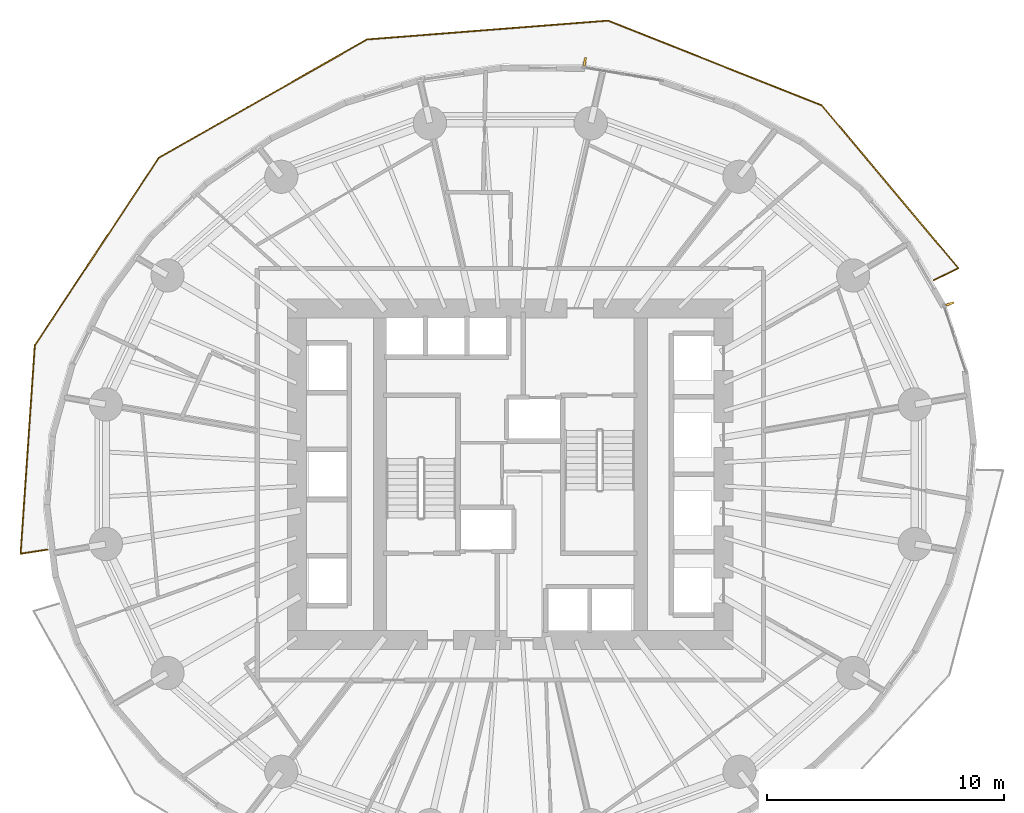
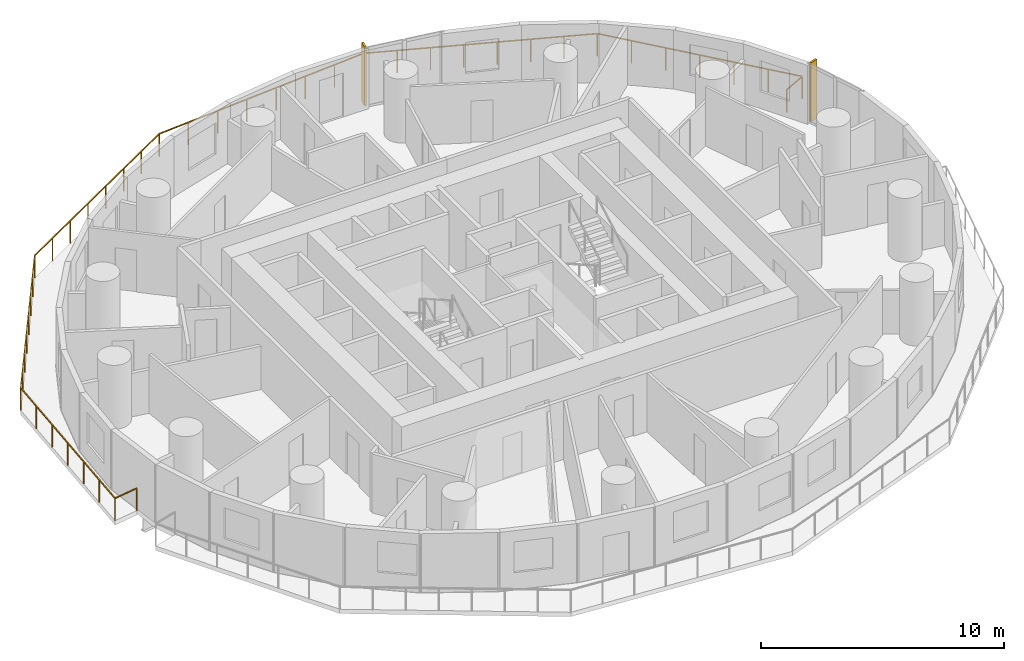
# One storey, part 13 of 13: 2 shading devices, 1 railing.
"""IFC4 building model written with IfcOpenShell, lengths in metres."""

from ifc_helpers import new_model, si_unit, direction, frame, origin, origin_2d, place, context, subcontext, project, spatial, rectangle, extrude, material, layer, layer_set, type_object, element, save


model = new_model("IFC4")

# Units and contexts
model_context = context("Model", 3, precision=1e-05, world=origin(), true_north=direction((0.0, 1.0)))
body_context = subcontext(model_context, "Body", "Model", "MODEL_VIEW")
ifc_project = project(units=[si_unit("LENGTHUNIT", "METRE"), si_unit("AREAUNIT", "SQUARE_METRE"), si_unit("VOLUMEUNIT", "CUBIC_METRE"), si_unit("PLANEANGLEUNIT", "RADIAN"), si_unit("MASSUNIT", "GRAM", prefix="KILO")], contexts=[model_context])

# Site, building, storey
site_placement = place(None, origin())
site = spatial("IfcSite", under=ifc_project, at=site_placement, CompositionType="ELEMENT")
building_placement = place(site_placement, origin())
building = spatial("IfcBuilding", under=site, at=building_placement, Name="Veldorim Arch Residences", CompositionType="ELEMENT")
storey_placement = place(building_placement, frame((0.0, 0.0, 53.60009765625)))
storey = spatial("IfcBuildingStorey", under=building, at=storey_placement, Name="L15", CompositionType="ELEMENT", Elevation=53.60009765625)

# Railing
ifc_material_1 = material(Name="Aluminium", Category="aluminium")
railing_type = type_object("IfcRailingType", Name="Balcony & Terrace Laminated Glass Balustrade 1150", PredefinedType="BALUSTRADE", material=ifc_material_1)
railing_placement = place(storey_placement, frame((49.875, 32.190185546875, 0.0)))
element("IfcRailing", 1, at=railing_placement, inside=storey, type_object=railing_type, Name="L15 crescent balcony safety balustrade A", PredefinedType="BALUSTRADE", context=body_context, shape_type="SweptSolid", body=[
    extrude(rectangle(XDim=0.048095703125, YDim=0.048095703125, at=origin_2d()), frame((0.0, 0.0, 1.1259765625), z_axis=(0.895950601999, 0.444153710754, 0.0), x_axis=(-0.444153710754, 0.895950601999, 0.0)), (0.0, 0.0, 1.0), 1.14990234375),
    extrude(rectangle(XDim=0.048095703125, YDim=0.048095703125, at=origin_2d()), frame((1.0302734375, 0.5107421875, 1.1259765625), z_axis=(-0.64247859791, 0.766303628614, 0.0), x_axis=(-0.766303628614, -0.64247859791, 0.0)), (0.0, 0.0, 1.0), 8.959228515625),
    extrude(rectangle(XDim=0.048095703125, YDim=0.048095703125, at=origin_2d()), frame((-4.725830078125, 7.376220703125, 1.1259765625), z_axis=(-0.929508501157, 0.368800686385, 0.0), x_axis=(-0.368800686385, -0.929508501157, 0.0)), (0.0, 0.0, 1.0), 9.7080078125),
    extrude(rectangle(XDim=0.048095703125, YDim=0.048095703125, at=origin_2d()), frame((-13.74951171875, 10.95654296875, 1.1259765625), z_axis=(-0.99695865445, -0.077932286749, 0.0), x_axis=(0.077932286749, -0.99695865445, 0.0)), (0.0, 0.0, 1.0), 10.197021484375),
    extrude(rectangle(XDim=0.048095703125, YDim=0.048095703125, at=origin_2d()), frame((-23.91552734375, 10.161865234375, 1.1259765625), z_axis=(-0.869677225372, -0.493620829858, 0.0), x_axis=(0.493620829858, -0.869677225372, 0.0)), (0.0, 0.0, 1.0), 10.10498046875),
    extrude(rectangle(XDim=0.048095703125, YDim=0.048095703125, at=origin_2d()), frame((-32.70361328125, 5.173828125, 1.1259765625), z_axis=(-0.551512110635, -0.834166884876, 0.0), x_axis=(0.834166884876, -0.551512110635, 0.0)), (0.0, 0.0, 1.0), 9.501953125),
    extrude(rectangle(XDim=0.048095703125, YDim=0.048095703125, at=origin_2d()), frame((-37.944091796875, -2.75244140625, 1.1259765625), z_axis=(-0.06801010088, -0.997684632626, 0.0), x_axis=(0.997684632626, -0.06801010088, 0.0)), (0.0, 0.0, 1.0), 8.81298828125),
    extrude(rectangle(XDim=0.048095703125, YDim=0.048095703125, at=origin_2d()), frame((-38.54345703125, -11.544921875, 1.1259765625), z_axis=(0.988381512065, 0.151993376855, 0.0), x_axis=(-0.151993376855, 0.988381512065, 0.0)), (0.0, 0.0, 1.0), 1.150146484375),
    extrude(rectangle(XDim=0.0419921875, YDim=0.0419921875, at=origin_2d()), origin(), (0.0, 0.0, 1.0), 1.101806640625),
    extrude(rectangle(XDim=0.0419921875, YDim=0.0419921875, at=origin_2d()), frame((1.0302734375, 0.5107421875, 0.0)), (0.0, 0.0, 1.0), 1.101806640625),
    extrude(rectangle(XDim=0.0419921875, YDim=0.0419921875, at=origin_2d()), frame((0.07080078125, 1.655029296875, 0.0)), (0.0, 0.0, 1.0), 1.101806640625),
    extrude(rectangle(XDim=0.0419921875, YDim=0.0419921875, at=origin_2d()), frame((-0.888427734375, 2.79931640625, 0.0)), (0.0, 0.0, 1.0), 1.101806640625),
    extrude(rectangle(XDim=0.0419921875, YDim=0.0419921875, at=origin_2d()), frame((-1.84765625, 3.943359375, 0.0)), (0.0, 0.0, 1.0), 1.101806640625),
    extrude(rectangle(XDim=0.0419921875, YDim=0.0419921875, at=origin_2d()), frame((-2.80712890625, 5.087646484375, 0.0)), (0.0, 0.0, 1.0), 1.101806640625),
    extrude(rectangle(XDim=0.0419921875, YDim=0.0419921875, at=origin_2d()), frame((-3.7666015625, 6.23193359375, 0.0)), (0.0, 0.0, 1.0), 1.101806640625),
    extrude(rectangle(XDim=0.0419921875, YDim=0.0419921875, at=origin_2d()), frame((-4.725830078125, 7.376220703125, 0.0)), (0.0, 0.0, 1.0), 1.101806640625),
    extrude(rectangle(XDim=0.0419921875, YDim=0.0419921875, at=origin_2d()), frame((-6.014892578125, 7.8876953125, 0.0)), (0.0, 0.0, 1.0), 1.101806640625),
    extrude(rectangle(XDim=0.0419921875, YDim=0.0419921875, at=origin_2d()), frame((-7.303955078125, 8.399169921875, 0.0)), (0.0, 0.0, 1.0), 1.101806640625),
    extrude(rectangle(XDim=0.0419921875, YDim=0.0419921875, at=origin_2d()), frame((-8.593017578125, 8.91064453125, 0.0)), (0.0, 0.0, 1.0), 1.101806640625),
    extrude(rectangle(XDim=0.0419921875, YDim=0.0419921875, at=origin_2d()), frame((-9.88232421875, 9.422119140625, 0.0)), (0.0, 0.0, 1.0), 1.101806640625),
    extrude(rectangle(XDim=0.0419921875, YDim=0.0419921875, at=origin_2d()), frame((-11.17138671875, 9.93359375, 0.0)), (0.0, 0.0, 1.0), 1.101806640625),
    extrude(rectangle(XDim=0.0419921875, YDim=0.0419921875, at=origin_2d()), frame((-12.46044921875, 10.445068359375, 0.0)), (0.0, 0.0, 1.0), 1.101806640625),
    extrude(rectangle(XDim=0.0419921875, YDim=0.0419921875, at=origin_2d()), frame((-13.74951171875, 10.95654296875, 0.0)), (0.0, 0.0, 1.0), 1.101806640625),
    extrude(rectangle(XDim=0.0419921875, YDim=0.0419921875, at=origin_2d()), frame((-15.201904296875, 10.843017578125, 0.0)), (0.0, 0.0, 1.0), 1.101806640625),
    extrude(rectangle(XDim=0.0419921875, YDim=0.0419921875, at=origin_2d()), frame((-16.654052734375, 10.7294921875, 0.0)), (0.0, 0.0, 1.0), 1.101806640625),
    extrude(rectangle(XDim=0.0419921875, YDim=0.0419921875, at=origin_2d()), frame((-18.1064453125, 10.615966796875, 0.0)), (0.0, 0.0, 1.0), 1.101806640625),
    extrude(rectangle(XDim=0.0419921875, YDim=0.0419921875, at=origin_2d()), frame((-19.55859375, 10.50244140625, 0.0)), (0.0, 0.0, 1.0), 1.101806640625),
    extrude(rectangle(XDim=0.0419921875, YDim=0.0419921875, at=origin_2d()), frame((-21.010986328125, 10.388916015625, 0.0)), (0.0, 0.0, 1.0), 1.101806640625),
    extrude(rectangle(XDim=0.0419921875, YDim=0.0419921875, at=origin_2d()), frame((-22.463134765625, 10.275390625, 0.0)), (0.0, 0.0, 1.0), 1.101806640625),
    extrude(rectangle(XDim=0.0419921875, YDim=0.0419921875, at=origin_2d()), frame((-23.91552734375, 10.161865234375, 0.0)), (0.0, 0.0, 1.0), 1.101806640625),
    extrude(rectangle(XDim=0.0419921875, YDim=0.0419921875, at=origin_2d()), frame((-25.1708984375, 9.44921875, 0.0)), (0.0, 0.0, 1.0), 1.101806640625),
    extrude(rectangle(XDim=0.0419921875, YDim=0.0419921875, at=origin_2d()), frame((-26.426513671875, 8.73681640625, 0.0)), (0.0, 0.0, 1.0), 1.101806640625),
    extrude(rectangle(XDim=0.0419921875, YDim=0.0419921875, at=origin_2d()), frame((-27.681884765625, 8.024169921875, 0.0)), (0.0, 0.0, 1.0), 1.101806640625),
    extrude(rectangle(XDim=0.0419921875, YDim=0.0419921875, at=origin_2d()), frame((-28.937255859375, 7.3115234375, 0.0)), (0.0, 0.0, 1.0), 1.101806640625),
    extrude(rectangle(XDim=0.0419921875, YDim=0.0419921875, at=origin_2d()), frame((-30.192626953125, 6.598876953125, 0.0)), (0.0, 0.0, 1.0), 1.101806640625),
    extrude(rectangle(XDim=0.0419921875, YDim=0.0419921875, at=origin_2d()), frame((-31.4482421875, 5.886474609375, 0.0)), (0.0, 0.0, 1.0), 1.101806640625),
    extrude(rectangle(XDim=0.0419921875, YDim=0.0419921875, at=origin_2d()), frame((-32.70361328125, 5.173828125, 0.0)), (0.0, 0.0, 1.0), 1.101806640625),
    extrude(rectangle(XDim=0.0419921875, YDim=0.0419921875, at=origin_2d()), frame((-33.4521484375, 4.04150390625, 0.0)), (0.0, 0.0, 1.0), 1.101806640625),
    extrude(rectangle(XDim=0.0419921875, YDim=0.0419921875, at=origin_2d()), frame((-34.200927734375, 2.9091796875, 0.0)), (0.0, 0.0, 1.0), 1.101806640625),
    extrude(rectangle(XDim=0.0419921875, YDim=0.0419921875, at=origin_2d()), frame((-34.949462890625, 1.77685546875, 0.0)), (0.0, 0.0, 1.0), 1.101806640625),
    extrude(rectangle(XDim=0.0419921875, YDim=0.0419921875, at=origin_2d()), frame((-35.6982421875, 0.64453125, 0.0)), (0.0, 0.0, 1.0), 1.101806640625),
    extrude(rectangle(XDim=0.0419921875, YDim=0.0419921875, at=origin_2d()), frame((-36.44677734375, -0.48779296875, 0.0)), (0.0, 0.0, 1.0), 1.101806640625),
    extrude(rectangle(XDim=0.0419921875, YDim=0.0419921875, at=origin_2d()), frame((-37.195556640625, -1.6201171875, 0.0)), (0.0, 0.0, 1.0), 1.101806640625),
    extrude(rectangle(XDim=0.0419921875, YDim=0.0419921875, at=origin_2d()), frame((-37.944091796875, -2.75244140625, 0.0)), (0.0, 0.0, 1.0), 1.101806640625),
    extrude(rectangle(XDim=0.0419921875, YDim=0.0419921875, at=origin_2d()), frame((-38.0439453125, -4.2177734375, 0.0)), (0.0, 0.0, 1.0), 1.101806640625),
    extrude(rectangle(XDim=0.0419921875, YDim=0.0419921875, at=origin_2d()), frame((-38.143798828125, -5.683349609375, 0.0)), (0.0, 0.0, 1.0), 1.101806640625),
    extrude(rectangle(XDim=0.0419921875, YDim=0.0419921875, at=origin_2d()), frame((-38.24365234375, -7.148681640625, 0.0)), (0.0, 0.0, 1.0), 1.101806640625),
    extrude(rectangle(XDim=0.0419921875, YDim=0.0419921875, at=origin_2d()), frame((-38.34375, -8.614013671875, 0.0)), (0.0, 0.0, 1.0), 1.101806640625),
    extrude(rectangle(XDim=0.0419921875, YDim=0.0419921875, at=origin_2d()), frame((-38.443603515625, -10.07958984375, 0.0)), (0.0, 0.0, 1.0), 1.101806640625),
    extrude(rectangle(XDim=0.0419921875, YDim=0.0419921875, at=origin_2d()), frame((-38.54345703125, -11.544921875, 0.0)), (0.0, 0.0, 1.0), 1.101806640625),
    extrude(rectangle(XDim=0.0419921875, YDim=0.0419921875, at=origin_2d()), frame((-37.40673828125, -11.3701171875, 0.0)), (0.0, 0.0, 1.0), 1.101806640625),
])

# Shading devices
ifc_material_2 = material(Name="Terracotta Ceramic", Category="masonry")
ifc_layer = layer(ifc_material_2, 0.090087890625, Name="Vertical Extruded Terracotta Baguette Sun-Shading Fin")
ifc_layer_set = layer_set([ifc_layer], Name="Terracotta Ceramic")
shading_device_type = type_object("IfcShadingDeviceType", Name="Vertical Extruded Terracotta Baguette Sun-Shading Fin", PredefinedType="USERDEFINED", material=ifc_layer_set)
for number, where, z_axis, x_axis, name in (
    (2, (50.552001953125, 31.19189453125, 0.0), (0.0, 0.0, 1.0), (0.314820866332, -0.949151106053, 0.0), "L15 vertical terracotta sun-shading fin 01"),
    (3, (35.1435546875, 41.41552734375, 0.0), (0.0, 0.0, 1.0), (0.986429257176, -0.164186846569, 0.0), "L15 vertical terracotta sun-shading fin 07"),
):
    element("IfcShadingDevice", number, at=place(storey_placement, frame(where, z_axis=z_axis, x_axis=x_axis)), inside=storey, type_object=shading_device_type, Name=name, ObjectType="FIN", PredefinedType="USERDEFINED", context=body_context, shape_type="SweptSolid", body=[
        extrude(rectangle(XDim=0.090087890625, YDim=0.360107421875, at=origin_2d()), origin(), (0.0, 0.0, 1.0), 2.9599609375),
    ])

save(model, "model.ifc")
